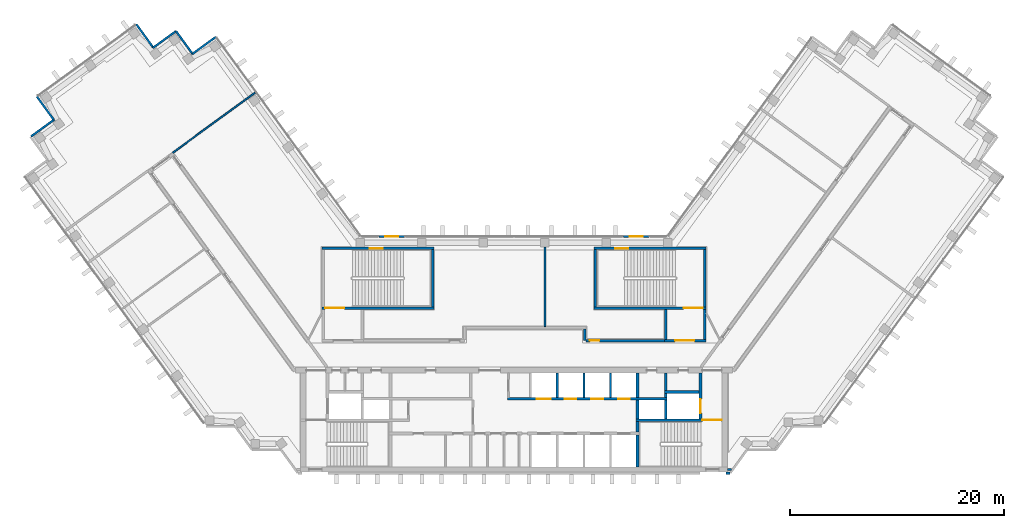
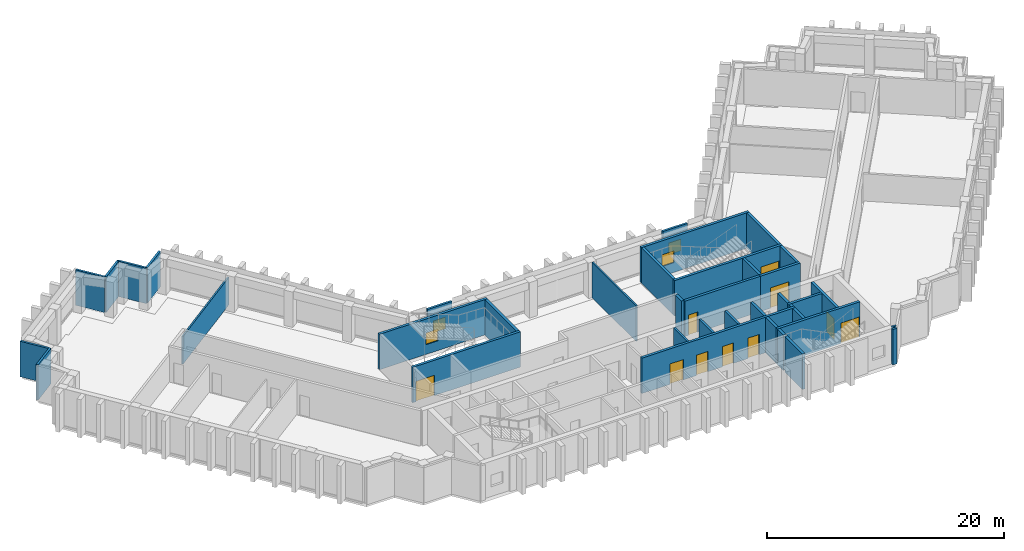
# One storey, part 6 of 10: 38 walls, 10 doors, 4 windows, 14 openings.
"""IFC4 building model written with IfcOpenShell, lengths in metres."""

from ifc_helpers import new_model, si_unit, direction, frame, frame_2d, origin, place, context, subcontext, project, spatial, rectangle, extrude, material, layer, layer_set, type_object, element, fill, save


model = new_model("IFC4")

# Units and contexts
model_context = context("Model", 3, precision=1e-05, world=origin(), true_north=direction((0.0, 1.0)))
body_context = subcontext(model_context, "Body", "Model", "MODEL_VIEW")
ifc_project = project(units=[si_unit("LENGTHUNIT", "METRE"), si_unit("AREAUNIT", "SQUARE_METRE"), si_unit("VOLUMEUNIT", "CUBIC_METRE"), si_unit("PLANEANGLEUNIT", "RADIAN"), si_unit("MASSUNIT", "GRAM", prefix="KILO")], contexts=[model_context])

# Site, building, storey
site_placement = place(None, origin())
site = spatial("IfcSite", under=ifc_project, at=site_placement, CompositionType="ELEMENT")
building_placement = place(site_placement, origin())
building = spatial("IfcBuilding", under=site, at=building_placement, Name="Quipu Civic Tower", CompositionType="ELEMENT")
storey_placement = place(building_placement, frame((0.0, 0.0, 176.0)))
storey = spatial("IfcBuildingStorey", under=building, at=storey_placement, Name="L41", CompositionType="ELEMENT", Elevation=176.0)

# Walls
ifc_material_1 = material(Name="Double gypsum plasterboard with mineral wool")
ifc_layer_1 = layer(ifc_material_1, 0.14990234375)
ifc_layer_set_1 = layer_set([ifc_layer_1], Name="Double gypsum plasterboard with mineral wool")
wall_type_1 = type_object("IfcWallType", Name="Acoustic partition 150 plasterboard", PredefinedType="PARTITIONING", material=ifc_layer_set_1)
wall_1_placement = place(storey_placement, frame((-31.97998046875, 18.922119140625, 0.0), z_axis=(0.0, 0.0, 1.0), x_axis=(0.807588329082, 0.589746632657, 0.0)))
element("IfcWall", 1, at=wall_1_placement, inside=storey, type_object=wall_type_1, Name="Partition P01", PredefinedType="PARTITIONING", context=body_context, shape_type="SweptSolid", body=[
    extrude(rectangle(XDim=9.56982421875, YDim=0.14990234375, at=frame_2d((4.784912109375, 0.0))), origin(), (0.0, 0.0, 1.0), 2.85009765625),
])
wall_2_placement = place(storey_placement, frame((2.89892578125, 10.094970703125, 0.0), z_axis=(0.0, 0.0, 1.0), x_axis=(0.0, -1.0, 0.0)))
element("IfcWall", 2, at=wall_2_placement, inside=storey, type_object=wall_type_1, Name="Partition P03", PredefinedType="PARTITIONING", context=body_context, shape_type="SweptSolid", body=[
    extrude(rectangle(XDim=7.445068359375, YDim=0.14990234375, at=frame_2d((3.72265625, 0.0))), origin(), (0.0, 0.0, 1.0), 3.64990234375),
])
ifc_material_2 = material(Name="Concrete C70/85", Category="concrete")
ifc_layer_2 = layer(ifc_material_2, 0.25)
ifc_layer_set_2 = layer_set([ifc_layer_2], Name="Concrete C70/85")
wall_type_2 = type_object("IfcWallType", Name="Core wall 250", PredefinedType="SHEAR", material=ifc_layer_set_2)
wall_3_placement = place(storey_placement, frame((11.574951171875, -10.5, 0.0), z_axis=(0.0, 0.0, 1.0), x_axis=(0.0, 1.0, 0.0)))
element("IfcWall", 3, at=wall_3_placement, inside=storey, type_object=wall_type_2, Name="Core wall", PredefinedType="SHEAR", context=body_context, shape_type="SweptSolid", body=[
    extrude(rectangle(XDim=3.0, YDim=0.25, at=frame_2d((1.5, 0.0))), origin(), (0.0, 0.0, 1.0), 3.64990234375),
])
wall_4_placement = place(storey_placement, frame((11.574951171875, -7.25, 0.0), z_axis=(0.0, 0.0, 1.0), x_axis=(0.0, 1.0, 0.0)))
element("IfcWall", 4, at=wall_4_placement, inside=storey, type_object=wall_type_2, Name="Core wall", PredefinedType="SHEAR", context=body_context, shape_type="SweptSolid", body=[
    extrude(rectangle(XDim=1.0, YDim=0.25, at=frame_2d((0.5, 0.0))), origin(), (0.0, 0.0, 1.0), 3.64990234375),
])

# Wall, opening, door
wall_5_placement = place(storey_placement, frame((19.5, -6.125, 0.0), z_axis=(0.0, 0.0, 1.0), x_axis=(-1.0, 0.0, 0.0)))
wall_5 = element("IfcWall", 5, at=wall_5_placement, inside=storey, type_object=wall_type_2, Name="Core wall", PredefinedType="SHEAR", context=body_context, shape_type="SweptSolid", body=[
    extrude(rectangle(XDim=8.050048828125, YDim=0.25, at=frame_2d((4.02490234375, 0.0))), origin(), (0.0, 0.0, 1.0), 3.64990234375),
])
opening_1_placement = place(wall_5_placement, frame((0.050048828125, 0.0, 0.0)))
opening_1 = element("IfcOpeningElement", 6, at=opening_1_placement, cuts=wall_5, Name="Opening CD-08", PredefinedType="OPENING", context=body_context, shape_type="SweptSolid", body=[
    extrude(rectangle(XDim=1.800048828125, YDim=2.10009765625, at=frame_2d((0.89990234375, 1.050048828125))), frame((0.0, 0.135009765625, 0.0), z_axis=(0.0, -1.0, 0.0), x_axis=(1.0, 0.0, 0.0)), (0.0, 0.0, 1.0), 0.27001953125),
])
ifc_material_3 = material(Name="Fire rated steel door", Category="steel")
door_type_1 = type_object("IfcDoorType", Name="Fire door FD90 double 1800 x 2100", OperationType="NOTDEFINED", PredefinedType="DOOR", material=ifc_material_3)
door_1_placement = place(opening_1_placement, origin())
door_1 = element("IfcDoor", 7, at=door_1_placement, inside=storey, type_object=door_type_1, Name="Door", OperationType="DOUBLE_DOOR_SINGLE_SWING", OverallHeight=2.10009765625, OverallWidth=1.800048828125, PredefinedType="DOOR", context=body_context, shape_type="SweptSolid", body=[
    extrude(rectangle(XDim=1.800048828125, YDim=2.10009765625, at=frame_2d((0.89990234375, 1.050048828125))), frame((0.0, 0.02490234375, 0.0), z_axis=(0.0, -1.0, 0.0), x_axis=(1.0, 0.0, 0.0)), (0.0, 0.0, 1.0), 0.050048828125),
])
fill(opening_1, door_1)

# Walls
for number, where, z_axis, x_axis, name in (
    (8, (11.574951171875, -6.0, 0.0), (0.0, 0.0, 1.0), (0.0, 1.0, 0.0), "Core wall"),
    (9, (14.22509765625, -6.0, 0.0), (0.0, 0.0, 1.0), (0.0, 1.0, 0.0), "Core wall"),
):
    element("IfcWall", number, at=place(storey_placement, frame(where, z_axis=z_axis, x_axis=x_axis)), inside=storey, type_object=wall_type_2, Name=name, PredefinedType="SHEAR", context=body_context, shape_type="SweptSolid", body=[
        extrude(rectangle(XDim=1.75, YDim=0.25, at=frame_2d((0.875, 0.0))), origin(), (0.0, 0.0, 1.0), 3.64990234375),
    ])

# Wall, opening, door
wall_6_placement = place(storey_placement, frame((17.47509765625, -6.0, 0.0), z_axis=(0.0, 0.0, 1.0), x_axis=(0.0, 1.0, 0.0)))
wall_6 = element("IfcWall", 10, at=wall_6_placement, inside=storey, type_object=wall_type_2, Name="Core wall", PredefinedType="SHEAR", context=body_context, shape_type="SweptSolid", body=[
    extrude(rectangle(XDim=4.300048828125, YDim=0.25, at=frame_2d((2.14990234375, 0.0))), origin(), (0.0, 0.0, 1.0), 3.64990234375),
])
opening_2_placement = place(wall_6_placement, frame((0.550048828125, 0.0, 0.0)))
opening_2 = element("IfcOpeningElement", 11, at=opening_2_placement, cuts=wall_6, Name="Opening LD-FF2", PredefinedType="OPENING", context=body_context, shape_type="SweptSolid", body=[
    extrude(rectangle(XDim=1.300048828125, YDim=2.10009765625, at=frame_2d((0.64990234375, 1.050048828125))), frame((0.0, 0.135009765625, 0.0), z_axis=(0.0, -1.0, 0.0), x_axis=(1.0, 0.0, 0.0)), (0.0, 0.0, 1.0), 0.27001953125),
])
ifc_material_4 = material(Name="Stainless steel", Category="steel")
door_type_2 = type_object("IfcDoorType", Name="Lift landing door 1300 x 2100", OperationType="DOUBLE_DOOR_SLIDING", PredefinedType="DOOR", material=ifc_material_4)
door_2_placement = place(opening_2_placement, origin())
door_2 = element("IfcDoor", 12, at=door_2_placement, inside=storey, type_object=door_type_2, Name="Landing door FF2", OperationType="DOUBLE_DOOR_SLIDING", OverallHeight=2.10009765625, OverallWidth=1.300048828125, PredefinedType="DOOR", context=body_context, shape_type="SweptSolid", body=[
    extrude(rectangle(XDim=1.300048828125, YDim=2.10009765625, at=frame_2d((0.64990234375, 1.050048828125))), frame((0.0, 0.02490234375, 0.0), z_axis=(0.0, -1.0, 0.0), x_axis=(1.0, 0.0, 0.0)), (0.0, 0.0, 1.0), 0.050048828125),
])
fill(opening_2, door_2)

# Wall, openings, doors
wall_7_placement = place(storey_placement, frame((-0.60009765625, -4.125, 0.0), z_axis=(0.0, 0.0, 1.0), x_axis=(1.0, 0.0, 0.0)))
wall_7 = element("IfcWall", 13, at=wall_7_placement, inside=storey, type_object=wall_type_2, Name="Core wall", PredefinedType="SHEAR", context=body_context, shape_type="SweptSolid", body=[
    extrude(rectangle(XDim=14.9501953125, YDim=0.25, at=frame_2d((7.47509765625, 0.0))), origin(), (0.0, 0.0, 1.0), 3.64990234375),
])
opening_3_placement = place(wall_7_placement, frame((2.75, 0.0, 0.0)))
opening_3 = element("IfcOpeningElement", 14, at=opening_3_placement, cuts=wall_7, Name="Opening LD-FF3", PredefinedType="OPENING", context=body_context, shape_type="SweptSolid", body=[
    extrude(rectangle(XDim=1.300048828125, YDim=2.10009765625, at=frame_2d((0.64990234375, 1.050048828125))), frame((0.0, 0.135009765625, 0.0), z_axis=(0.0, -1.0, 0.0), x_axis=(1.0, 0.0, 0.0)), (0.0, 0.0, 1.0), 0.27001953125),
])
opening_4_placement = place(wall_7_placement, frame((5.35009765625, 0.0, 0.0)))
opening_4 = element("IfcOpeningElement", 15, at=opening_4_placement, cuts=wall_7, Name="Opening LD-ML5", PredefinedType="OPENING", context=body_context, shape_type="SweptSolid", body=[
    extrude(rectangle(XDim=1.10009765625, YDim=2.10009765625, at=frame_2d((0.550048828125, 1.050048828125))), frame((0.0, 0.135009765625, 0.0), z_axis=(0.0, -1.0, 0.0), x_axis=(1.0, 0.0, 0.0)), (0.0, 0.0, 1.0), 0.27001953125),
])
opening_5_placement = place(wall_7_placement, frame((7.85009765625, 0.0, 0.0)))
opening_5 = element("IfcOpeningElement", 16, at=opening_5_placement, cuts=wall_7, Name="Opening LD-ML6", PredefinedType="OPENING", context=body_context, shape_type="SweptSolid", body=[
    extrude(rectangle(XDim=1.10009765625, YDim=2.10009765625, at=frame_2d((0.550048828125, 1.050048828125))), frame((0.0, 0.135009765625, 0.0), z_axis=(0.0, -1.0, 0.0), x_axis=(1.0, 0.0, 0.0)), (0.0, 0.0, 1.0), 0.27001953125),
])
opening_6_placement = place(wall_7_placement, frame((10.35009765625, 0.0, 0.0)))
opening_6 = element("IfcOpeningElement", 17, at=opening_6_placement, cuts=wall_7, Name="Opening LD-ML7", PredefinedType="OPENING", context=body_context, shape_type="SweptSolid", body=[
    extrude(rectangle(XDim=1.10009765625, YDim=2.10009765625, at=frame_2d((0.550048828125, 1.050048828125))), frame((0.0, 0.135009765625, 0.0), z_axis=(0.0, -1.0, 0.0), x_axis=(1.0, 0.0, 0.0)), (0.0, 0.0, 1.0), 0.27001953125),
])
ifc_material_5 = material(Name="Stainless steel", Category="steel")
door_type_3 = type_object("IfcDoorType", Name="Lift landing door 1100 x 2100", OperationType="DOUBLE_DOOR_SLIDING", PredefinedType="DOOR", material=ifc_material_5)
door_3_placement = place(opening_4_placement, origin())
door_3 = element("IfcDoor", 18, at=door_3_placement, inside=storey, type_object=door_type_3, Name="Landing door ML5", OperationType="DOUBLE_DOOR_SLIDING", OverallHeight=2.10009765625, OverallWidth=1.10009765625, PredefinedType="DOOR", context=body_context, shape_type="SweptSolid", body=[
    extrude(rectangle(XDim=1.10009765625, YDim=2.10009765625, at=frame_2d((0.550048828125, 1.050048828125))), frame((0.0, 0.02490234375, 0.0), z_axis=(0.0, -1.0, 0.0), x_axis=(1.0, 0.0, 0.0)), (0.0, 0.0, 1.0), 0.050048828125),
])
fill(opening_4, door_3)
door_4_placement = place(opening_5_placement, origin())
door_4 = element("IfcDoor", 19, at=door_4_placement, inside=storey, type_object=door_type_3, Name="Landing door ML6", OperationType="DOUBLE_DOOR_SLIDING", OverallHeight=2.10009765625, OverallWidth=1.10009765625, PredefinedType="DOOR", context=body_context, shape_type="SweptSolid", body=[
    extrude(rectangle(XDim=1.10009765625, YDim=2.10009765625, at=frame_2d((0.550048828125, 1.050048828125))), frame((0.0, 0.02490234375, 0.0), z_axis=(0.0, -1.0, 0.0), x_axis=(1.0, 0.0, 0.0)), (0.0, 0.0, 1.0), 0.050048828125),
])
fill(opening_5, door_4)
door_5_placement = place(opening_6_placement, origin())
door_5 = element("IfcDoor", 20, at=door_5_placement, inside=storey, type_object=door_type_3, Name="Landing door ML7", OperationType="DOUBLE_DOOR_SLIDING", OverallHeight=2.10009765625, OverallWidth=1.10009765625, PredefinedType="DOOR", context=body_context, shape_type="SweptSolid", body=[
    extrude(rectangle(XDim=1.10009765625, YDim=2.10009765625, at=frame_2d((0.550048828125, 1.050048828125))), frame((0.0, 0.02490234375, 0.0), z_axis=(0.0, -1.0, 0.0), x_axis=(1.0, 0.0, 0.0)), (0.0, 0.0, 1.0), 0.050048828125),
])
fill(opening_6, door_5)
door_6_placement = place(opening_3_placement, origin())
door_6 = element("IfcDoor", 21, at=door_6_placement, inside=storey, type_object=door_type_2, Name="Landing door FF3", OperationType="DOUBLE_DOOR_SLIDING", OverallHeight=2.10009765625, OverallWidth=1.300048828125, PredefinedType="DOOR", context=body_context, shape_type="SweptSolid", body=[
    extrude(rectangle(XDim=1.300048828125, YDim=2.10009765625, at=frame_2d((0.64990234375, 1.050048828125))), frame((0.0, 0.02490234375, 0.0), z_axis=(0.0, -1.0, 0.0), x_axis=(1.0, 0.0, 0.0)), (0.0, 0.0, 1.0), 0.050048828125),
])
fill(opening_3, door_6)

# Walls
wall_8_placement = place(storey_placement, frame((11.574951171875, -4.0, 0.0), z_axis=(0.0, 0.0, 1.0), x_axis=(0.0, 1.0, 0.0)))
element("IfcWall", 22, at=wall_8_placement, inside=storey, type_object=wall_type_2, Name="Core wall", PredefinedType="SHEAR", context=body_context, shape_type="SweptSolid", body=[
    extrude(rectangle(XDim=2.300048828125, YDim=0.25, at=frame_2d((1.14990234375, 0.0))), origin(), (0.0, 0.0, 1.0), 3.64990234375),
])
wall_9_placement = place(storey_placement, frame((14.22509765625, -4.0, 0.0), z_axis=(0.0, 0.0, 1.0), x_axis=(0.0, 1.0, 0.0)))
element("IfcWall", 23, at=wall_9_placement, inside=storey, type_object=wall_type_2, Name="Core wall", PredefinedType="SHEAR", context=body_context, shape_type="SweptSolid", body=[
    extrude(rectangle(XDim=0.39990234375, YDim=0.25, at=frame_2d((0.199951171875, 0.0))), origin(), (0.0, 0.0, 1.0), 3.64990234375),
])
wall_10_placement = place(storey_placement, frame((14.10009765625, -3.47509765625, 0.0), z_axis=(0.0, 0.0, 1.0), x_axis=(1.0, 0.0, 0.0)))
element("IfcWall", 24, at=wall_10_placement, inside=storey, type_object=wall_type_2, Name="Core wall", PredefinedType="SHEAR", context=body_context, shape_type="SweptSolid", body=[
    extrude(rectangle(XDim=3.25, YDim=0.25, at=frame_2d((1.625, 0.0))), origin(), (0.0, 0.0, 1.0), 3.64990234375),
])
wall_11_placement = place(storey_placement, frame((14.22509765625, -3.35009765625, 0.0), z_axis=(0.0, 0.0, 1.0), x_axis=(0.0, 1.0, 0.0)))
element("IfcWall", 25, at=wall_11_placement, inside=storey, type_object=wall_type_2, Name="Core wall", PredefinedType="SHEAR", context=body_context, shape_type="SweptSolid", body=[
    extrude(rectangle(XDim=1.650146484375, YDim=0.25, at=frame_2d((0.8251953125, 0.0))), origin(), (0.0, 0.0, 1.0), 3.64990234375),
])

# Wall, opening, door
wall_12_placement = place(storey_placement, frame((-18.0, 4.375, 0.0), z_axis=(0.0, 0.0, 1.0), x_axis=(1.0, 0.0, 0.0)))
wall_12 = element("IfcWall", 26, at=wall_12_placement, inside=storey, type_object=wall_type_2, Name="Core wall", PredefinedType="SHEAR", context=body_context, shape_type="SweptSolid", body=[
    extrude(rectangle(XDim=10.5, YDim=0.25, at=frame_2d((5.25, 0.0))), origin(), (0.0, 0.0, 1.0), 3.64990234375),
])
opening_7_placement = place(wall_12_placement, frame((0.300048828125, 0.0, 0.0)))
opening_7 = element("IfcOpeningElement", 27, at=opening_7_placement, cuts=wall_12, Name="Opening CD-22", PredefinedType="OPENING", context=body_context, shape_type="SweptSolid", body=[
    extrude(rectangle(XDim=1.800048828125, YDim=2.10009765625, at=frame_2d((0.89990234375, 1.050048828125))), frame((0.0, 0.135009765625, 0.0), z_axis=(0.0, -1.0, 0.0), x_axis=(1.0, 0.0, 0.0)), (0.0, 0.0, 1.0), 0.27001953125),
])
door_7_placement = place(opening_7_placement, origin())
door_7 = element("IfcDoor", 28, at=door_7_placement, inside=storey, type_object=door_type_1, Name="Door", OperationType="DOUBLE_DOOR_SINGLE_SWING", OverallHeight=2.10009765625, OverallWidth=1.800048828125, PredefinedType="DOOR", context=body_context, shape_type="SweptSolid", body=[
    extrude(rectangle(XDim=1.800048828125, YDim=2.10009765625, at=frame_2d((0.89990234375, 1.050048828125))), frame((0.0, 0.02490234375, 0.0), z_axis=(0.0, -1.0, 0.0), x_axis=(1.0, 0.0, 0.0)), (0.0, 0.0, 1.0), 0.050048828125),
])
fill(opening_7, door_7)

# Wall
wall_13_placement = place(storey_placement, frame((-7.625, 4.5, 0.0), z_axis=(0.0, 0.0, 1.0), x_axis=(0.0, 1.0, 0.0)))
element("IfcWall", 29, at=wall_13_placement, inside=storey, type_object=wall_type_2, Name="Core wall", PredefinedType="SHEAR", context=body_context, shape_type="SweptSolid", body=[
    extrude(rectangle(XDim=5.35009765625, YDim=0.25, at=frame_2d((2.675048828125, 0.0))), origin(), (0.0, 0.0, 1.0), 3.64990234375),
])

# Wall, opening, window
wall_14_placement = place(storey_placement, frame((-18.0, 9.97509765625, 0.0), z_axis=(0.0, 0.0, 1.0), x_axis=(1.0, 0.0, 0.0)))
wall_14 = element("IfcWall", 30, at=wall_14_placement, inside=storey, type_object=wall_type_2, Name="Core wall", PredefinedType="SHEAR", context=body_context, shape_type="SweptSolid", body=[
    extrude(rectangle(XDim=10.5, YDim=0.25, at=frame_2d((5.25, 0.0))), origin(), (0.0, 0.0, 1.0), 3.64990234375),
])
opening_8_placement = place(wall_14_placement, frame((4.5, 0.0, 1.0)))
opening_8 = element("IfcOpeningElement", 31, at=opening_8_placement, cuts=wall_14, Name="Opening SV-3", PredefinedType="OPENING", context=body_context, shape_type="SweptSolid", body=[
    extrude(rectangle(XDim=1.199951171875, YDim=1.199951171875, at=frame_2d((0.60009765625, 0.60009765625))), frame((0.0, 0.135009765625, 0.0), z_axis=(0.0, -1.0, 0.0), x_axis=(1.0, 0.0, 0.0)), (0.0, 0.0, 1.0), 0.27001953125),
])
ifc_material_6 = material(Name="Aluminium louvre", Category="aluminium")
window_type_1 = type_object("IfcWindowType", Name="Stair ventilation louvre 1200 x 1200", PartitioningType="SINGLE_PANEL", PredefinedType="WINDOW", material=ifc_material_6)
window_1_placement = place(opening_8_placement, origin())
window_1 = element("IfcWindow", 32, at=window_1_placement, inside=storey, type_object=window_type_1, Name="Stair ventilation opening", OverallHeight=1.199951171875, OverallWidth=1.199951171875, PartitioningType="SINGLE_PANEL", PredefinedType="WINDOW", context=body_context, shape_type="SweptSolid", body=[
    extrude(rectangle(XDim=1.199951171875, YDim=1.199951171875, at=frame_2d((0.60009765625, 0.60009765625))), frame((0.0, 0.030029296875, 0.0), z_axis=(0.0, -1.0, 0.0), x_axis=(1.0, 0.0, 0.0)), (0.0, 0.0, 1.0), 0.06005859375),
])
fill(opening_8, window_1)

# Wall, opening, door
wall_15_placement = place(storey_placement, frame((14.10009765625, 1.324951171875, 0.0), z_axis=(0.0, 0.0, 1.0), x_axis=(1.0, 0.0, 0.0)))
wall_15 = element("IfcWall", 33, at=wall_15_placement, inside=storey, type_object=wall_type_2, Name="Core wall", PredefinedType="SHEAR", context=body_context, shape_type="SweptSolid", body=[
    extrude(rectangle(XDim=3.89990234375, YDim=0.25, at=frame_2d((1.949951171875, 0.0))), origin(), (0.0, 0.0, 1.0), 3.64990234375),
])
opening_9_placement = place(wall_15_placement, frame((1.0, 0.0, 0.0)))
opening_9 = element("IfcOpeningElement", 34, at=opening_9_placement, cuts=wall_15, Name="Opening CD-23", PredefinedType="OPENING", context=body_context, shape_type="SweptSolid", body=[
    extrude(rectangle(XDim=1.800048828125, YDim=2.10009765625, at=frame_2d((0.89990234375, 1.050048828125))), frame((0.0, 0.135009765625, 0.0), z_axis=(0.0, -1.0, 0.0), x_axis=(1.0, 0.0, 0.0)), (0.0, 0.0, 1.0), 0.27001953125),
])
door_8_placement = place(opening_9_placement, origin())
door_8 = element("IfcDoor", 35, at=door_8_placement, inside=storey, type_object=door_type_1, Name="Lobby door", OperationType="DOUBLE_DOOR_SINGLE_SWING", OverallHeight=2.10009765625, OverallWidth=1.800048828125, PredefinedType="DOOR", context=body_context, shape_type="SweptSolid", body=[
    extrude(rectangle(XDim=1.800048828125, YDim=2.10009765625, at=frame_2d((0.89990234375, 1.050048828125))), frame((0.0, 0.02490234375, 0.0), z_axis=(0.0, -1.0, 0.0), x_axis=(1.0, 0.0, 0.0)), (0.0, 0.0, 1.0), 0.050048828125),
])
fill(opening_9, door_8)

# Walls
for number, where, z_axis, x_axis, name in (
    (36, (14.22509765625, 1.449951171875, 0.0), (0.0, 0.0, 1.0), (0.0, 1.0, 0.0), "Core wall"),
    (37, (17.875, 1.449951171875, 0.0), (0.0, 0.0, 1.0), (0.0, 1.0, 0.0), "Core wall"),
):
    element("IfcWall", number, at=place(storey_placement, frame(where, z_axis=z_axis, x_axis=x_axis)), inside=storey, type_object=wall_type_2, Name=name, PredefinedType="SHEAR", context=body_context, shape_type="SweptSolid", body=[
        extrude(rectangle(XDim=2.800048828125, YDim=0.25, at=frame_2d((1.39990234375, 0.0))), origin(), (0.0, 0.0, 1.0), 3.64990234375),
    ])

# Wall, opening, door
wall_16_placement = place(storey_placement, frame((7.5, 4.375, 0.0), z_axis=(0.0, 0.0, 1.0), x_axis=(1.0, 0.0, 0.0)))
wall_16 = element("IfcWall", 38, at=wall_16_placement, inside=storey, type_object=wall_type_2, Name="Core wall", PredefinedType="SHEAR", context=body_context, shape_type="SweptSolid", body=[
    extrude(rectangle(XDim=10.5, YDim=0.25, at=frame_2d((5.25, 0.0))), origin(), (0.0, 0.0, 1.0), 3.64990234375),
])
opening_10_placement = place(wall_16_placement, frame((8.39990234375, 0.0, 0.0)))
opening_10 = element("IfcOpeningElement", 39, at=opening_10_placement, cuts=wall_16, Name="Opening CD-24", PredefinedType="OPENING", context=body_context, shape_type="SweptSolid", body=[
    extrude(rectangle(XDim=1.800048828125, YDim=2.10009765625, at=frame_2d((0.89990234375, 1.050048828125))), frame((0.0, 0.135009765625, 0.0), z_axis=(0.0, -1.0, 0.0), x_axis=(1.0, 0.0, 0.0)), (0.0, 0.0, 1.0), 0.27001953125),
])
door_9_placement = place(opening_10_placement, origin())
door_9 = element("IfcDoor", 40, at=door_9_placement, inside=storey, type_object=door_type_1, Name="Door", OperationType="DOUBLE_DOOR_SINGLE_SWING", OverallHeight=2.10009765625, OverallWidth=1.800048828125, PredefinedType="DOOR", context=body_context, shape_type="SweptSolid", body=[
    extrude(rectangle(XDim=1.800048828125, YDim=2.10009765625, at=frame_2d((0.89990234375, 1.050048828125))), frame((0.0, 0.02490234375, 0.0), z_axis=(0.0, -1.0, 0.0), x_axis=(1.0, 0.0, 0.0)), (0.0, 0.0, 1.0), 0.050048828125),
])
fill(opening_10, door_9)

# Walls
for number, where, z_axis, x_axis, name in (
    (41, (7.625, 4.5, 0.0), (0.0, 0.0, 1.0), (0.0, 1.0, 0.0), "Core wall"),
    (42, (17.875, 4.5, 0.0), (0.0, 0.0, 1.0), (0.0, 1.0, 0.0), "Core wall"),
):
    element("IfcWall", number, at=place(storey_placement, frame(where, z_axis=z_axis, x_axis=x_axis)), inside=storey, type_object=wall_type_2, Name=name, PredefinedType="SHEAR", context=body_context, shape_type="SweptSolid", body=[
        extrude(rectangle(XDim=5.35009765625, YDim=0.25, at=frame_2d((2.675048828125, 0.0))), origin(), (0.0, 0.0, 1.0), 3.64990234375),
    ])

# Wall, opening, window
wall_17_placement = place(storey_placement, frame((7.5, 9.97509765625, 0.0), z_axis=(0.0, 0.0, 1.0), x_axis=(1.0, 0.0, 0.0)))
wall_17 = element("IfcWall", 43, at=wall_17_placement, inside=storey, type_object=wall_type_2, Name="Core wall", PredefinedType="SHEAR", context=body_context, shape_type="SweptSolid", body=[
    extrude(rectangle(XDim=10.5, YDim=0.25, at=frame_2d((5.25, 0.0))), origin(), (0.0, 0.0, 1.0), 3.64990234375),
])
opening_11_placement = place(wall_17_placement, frame((2.0, 0.0, 1.0)))
opening_11 = element("IfcOpeningElement", 44, at=opening_11_placement, cuts=wall_17, Name="Opening SV-4", PredefinedType="OPENING", context=body_context, shape_type="SweptSolid", body=[
    extrude(rectangle(XDim=1.199951171875, YDim=1.199951171875, at=frame_2d((0.60009765625, 0.60009765625))), frame((0.0, 0.135009765625, 0.0), z_axis=(0.0, -1.0, 0.0), x_axis=(1.0, 0.0, 0.0)), (0.0, 0.0, 1.0), 0.27001953125),
])
window_2_placement = place(opening_11_placement, origin())
window_2 = element("IfcWindow", 45, at=window_2_placement, inside=storey, type_object=window_type_1, Name="Stair ventilation opening", OverallHeight=1.199951171875, OverallWidth=1.199951171875, PartitioningType="SINGLE_PANEL", PredefinedType="WINDOW", context=body_context, shape_type="SweptSolid", body=[
    extrude(rectangle(XDim=1.199951171875, YDim=1.199951171875, at=frame_2d((0.60009765625, 0.60009765625))), frame((0.0, 0.030029296875, 0.0), z_axis=(0.0, -1.0, 0.0), x_axis=(1.0, 0.0, 0.0)), (0.0, 0.0, 1.0), 0.06005859375),
])
fill(opening_11, window_2)

# Wall
ifc_material_7 = material(Name="Concrete C50/60", Category="concrete")
ifc_layer_3 = layer(ifc_material_7, 0.25)
ifc_layer_set_3 = layer_set([ifc_layer_3], Name="Concrete C50/60")
wall_type_3 = type_object("IfcWallType", Name="Corridor wall 250 concrete", PredefinedType="SOLIDWALL", material=ifc_layer_set_3)
wall_18_placement = place(storey_placement, frame((6.625, 2.39990234375, 0.0), z_axis=(0.0, 0.0, 1.0), x_axis=(0.0, -1.0, 0.0)))
element("IfcWall", 46, at=wall_18_placement, inside=storey, type_object=wall_type_3, Name="Corridor wall C10", PredefinedType="SOLIDWALL", context=body_context, shape_type="SweptSolid", body=[
    extrude(rectangle(XDim=1.041259765625, YDim=0.25, at=frame_2d((0.5205078125, 0.0))), origin(), (0.0, 0.0, 1.0), 3.64990234375),
])

# Wall, opening, door
wall_19_placement = place(storey_placement, frame((6.753662109375, 1.324951171875, 0.0), z_axis=(0.0, 0.0, 1.0), x_axis=(1.0, 0.0, 0.0)))
wall_19 = element("IfcWall", 47, at=wall_19_placement, inside=storey, type_object=wall_type_3, Name="Corridor wall C11", PredefinedType="SOLIDWALL", context=body_context, shape_type="SweptSolid", body=[
    extrude(rectangle(XDim=7.33642578125, YDim=0.25, at=frame_2d((3.668212890625, 0.0))), origin(), (0.0, 0.0, 1.0), 3.64990234375),
])
opening_12_placement = place(wall_19_placement, frame((0.34619140625, 0.0, 0.0)))
opening_12 = element("IfcOpeningElement", 48, at=opening_12_placement, cuts=wall_19, Name="Opening D008", PredefinedType="OPENING", context=body_context, shape_type="SweptSolid", body=[
    extrude(rectangle(XDim=0.89990234375, YDim=2.10009765625, at=frame_2d((0.449951171875, 1.050048828125))), frame((0.0, 0.135009765625, 0.0), z_axis=(0.0, -1.0, 0.0), x_axis=(1.0, 0.0, 0.0)), (0.0, 0.0, 1.0), 0.27001953125),
])
ifc_material_8 = material(Name="Fire rated timber door set with metal frame", Category="wood")
door_type_4 = type_object("IfcDoorType", Name="Single door 900 x 2100 FD60", OperationType="NOTDEFINED", PredefinedType="DOOR", material=ifc_material_8)
door_10_placement = place(opening_12_placement, origin())
door_10 = element("IfcDoor", 49, at=door_10_placement, inside=storey, type_object=door_type_4, Name="Door D008", OperationType="SINGLE_SWING_LEFT", OverallHeight=2.10009765625, OverallWidth=0.89990234375, PredefinedType="DOOR", context=body_context, shape_type="SweptSolid", body=[
    extrude(rectangle(XDim=0.89990234375, YDim=2.10009765625, at=frame_2d((0.449951171875, 1.050048828125))), frame((0.0, 0.02490234375, 0.0), z_axis=(0.0, -1.0, 0.0), x_axis=(1.0, 0.0, 0.0)), (0.0, 0.0, 1.0), 0.050048828125),
])
fill(opening_12, door_10)

# Walls
ifc_material_9 = material(Name="Precast concrete C40/50", Category="concrete")
wall_type_4 = type_object("IfcWallType", Name="Precast cladding wall", PredefinedType="SOLIDWALL", material=ifc_material_9)
for number, where, z_axis, x_axis, name in (
    (50, (-27.92138671875, 29.787109375, 0.0), (0.0, 0.0, 1.0), (-0.809033161865, -0.587762999008, 0.0), "Precast cladding wall L41 P02"),
    (51, (-30.08349609375, 28.149169921875, 0.0), (0.0, 0.0, 1.0), (-0.587762999008, 0.809033161865, 0.0), "Precast cladding wall L41 P03"),
    (52, (-31.653564453125, 30.330810546875, 0.0), (0.0, 0.0, 1.0), (-0.809033161865, -0.587762999008, 0.0), "Precast cladding wall L41 P04"),
    (53, (-33.80078125, 28.785888671875, 0.0), (0.0, 0.0, 1.0), (-0.587762999008, 0.809033161865, 0.0), "Precast cladding wall L41 P05"),
    (54, (-44.699462890625, 24.20458984375, 0.0), (0.0, 0.0, 1.0), (0.587762999008, -0.809033161865, 0.0), "Precast cladding wall L41 P07"),
):
    element("IfcWall", number, at=place(storey_placement, frame(where, z_axis=z_axis, x_axis=x_axis)), inside=storey, type_object=wall_type_4, Name=name, PredefinedType="SOLIDWALL", context=body_context, shape_type="SweptSolid", body=[
        extrude(rectangle(XDim=2.699951171875, YDim=0.199951171875, at=frame_2d((1.35009765625, 0.0))), origin(), (0.0, 0.0, 1.0), 3.64990234375),
    ])
wall_20_placement = place(storey_placement, frame((19.85009765625, -11.087890625, 0.0), z_axis=(0.0, 0.0, 1.0), x_axis=(1.0, 0.0, 0.0)))
element("IfcWall", 55, at=wall_20_placement, inside=storey, type_object=wall_type_4, Name="Precast cladding wall L41 P16", PredefinedType="SOLIDWALL", context=body_context, shape_type="SweptSolid", body=[
    extrude(rectangle(XDim=0.40576171875, YDim=0.199951171875, at=frame_2d((0.202880859375, 0.0))), origin(), (0.0, 0.0, 1.0), 3.64990234375),
])

# Wall, opening, window
wall_21_placement = place(storey_placement, frame((12.655029296875, 11.10009765625, 0.0), z_axis=(0.0, 0.0, 1.0), x_axis=(-1.0, 0.0, 0.0)))
wall_21 = element("IfcWall", 56, at=wall_21_placement, inside=storey, type_object=wall_type_4, Name="Vent surround SF-L39-2", PredefinedType="SOLIDWALL", context=body_context, shape_type="SweptSolid", body=[
    extrude(rectangle(XDim=2.3916015625, YDim=0.199951171875, at=frame_2d((1.19580078125, 0.0))), origin(), (0.0, 0.0, 1.0), 3.64990234375),
])
opening_13_placement = place(wall_21_placement, frame((0.595703125, 0.0, 1.0)))
opening_13 = element("IfcOpeningElement", 57, at=opening_13_placement, cuts=wall_21, Name="Opening SF-L39-2", PredefinedType="OPENING", context=body_context, shape_type="SweptSolid", body=[
    extrude(rectangle(XDim=1.199951171875, YDim=1.199951171875, at=frame_2d((0.60009765625, 0.60009765625))), frame((0.0, 0.10986328125, 0.0), z_axis=(0.0, -1.0, 0.0), x_axis=(1.0, 0.0, 0.0)), (0.0, 0.0, 1.0), 0.219970703125),
])
ifc_material_10 = material(Name="Anodised aluminium louvre", Category="aluminium")
window_type_2 = type_object("IfcWindowType", Name="Stair vent louvre window P3", PartitioningType="SINGLE_PANEL", PredefinedType="WINDOW", material=ifc_material_10)
window_3_placement = place(opening_13_placement, origin())
window_3 = element("IfcWindow", 58, at=window_3_placement, inside=storey, type_object=window_type_2, Name="Stair vent louvre SF-L39-2", OverallHeight=1.199951171875, OverallWidth=1.199951171875, PartitioningType="SINGLE_PANEL", PredefinedType="WINDOW", context=body_context, shape_type="SweptSolid", body=[
    extrude(rectangle(XDim=1.199951171875, YDim=1.199951171875, at=frame_2d((0.60009765625, 0.60009765625))), frame((0.0, 0.030029296875, 0.0), z_axis=(0.0, -1.0, 0.0), x_axis=(1.0, 0.0, 0.0)), (0.0, 0.0, 1.0), 0.06005859375),
])
fill(opening_13, window_3)

wall_22_placement = place(storey_placement, frame((-10.263427734375, 11.10009765625, 0.0), z_axis=(0.0, 0.0, 1.0), x_axis=(-1.0, 0.0, 0.0)))
wall_22 = element("IfcWall", 59, at=wall_22_placement, inside=storey, type_object=wall_type_4, Name="Vent surround SF-L39-1", PredefinedType="SOLIDWALL", context=body_context, shape_type="SweptSolid", body=[
    extrude(rectangle(XDim=2.3916015625, YDim=0.199951171875, at=frame_2d((1.19580078125, 0.0))), origin(), (0.0, 0.0, 1.0), 3.64990234375),
])
opening_14_placement = place(wall_22_placement, frame((0.595703125, 0.0, 1.0)))
opening_14 = element("IfcOpeningElement", 60, at=opening_14_placement, cuts=wall_22, Name="Opening SF-L39-1", PredefinedType="OPENING", context=body_context, shape_type="SweptSolid", body=[
    extrude(rectangle(XDim=1.199951171875, YDim=1.199951171875, at=frame_2d((0.60009765625, 0.60009765625))), frame((0.0, 0.10986328125, 0.0), z_axis=(0.0, -1.0, 0.0), x_axis=(1.0, 0.0, 0.0)), (0.0, 0.0, 1.0), 0.219970703125),
])
window_4_placement = place(opening_14_placement, origin())
window_4 = element("IfcWindow", 61, at=window_4_placement, inside=storey, type_object=window_type_2, Name="Stair vent louvre SF-L39-1", OverallHeight=1.199951171875, OverallWidth=1.199951171875, PartitioningType="SINGLE_PANEL", PredefinedType="WINDOW", context=body_context, shape_type="SweptSolid", body=[
    extrude(rectangle(XDim=1.199951171875, YDim=1.199951171875, at=frame_2d((0.60009765625, 0.60009765625))), frame((0.0, 0.030029296875, 0.0), z_axis=(0.0, -1.0, 0.0), x_axis=(1.0, 0.0, 0.0)), (0.0, 0.0, 1.0), 0.06005859375),
])
fill(opening_14, window_4)

# Walls
wall_23_placement = place(storey_placement, frame((-43.060791015625, 22.04296875, 0.0), z_axis=(0.0, 0.0, 1.0), x_axis=(-0.809033161865, -0.587762999008, 0.0)))
element("IfcWall", 62, at=wall_23_placement, inside=storey, type_object=wall_type_4, Name="Precast cladding wall L41 1", PredefinedType="SOLIDWALL", context=body_context, shape_type="SweptSolid", body=[
    extrude(rectangle(XDim=2.699951171875, YDim=0.199951171875, at=frame_2d((1.35009765625, 0.0))), origin(), (0.0, 0.0, 1.0), 3.64990234375),
])
wall_24_placement = place(storey_placement, frame((19.97998046875, -10.75, 0.0), z_axis=(0.0, 0.0, 1.0), x_axis=(1.0, 0.0, 0.0)))
element("IfcWall", 63, at=wall_24_placement, inside=storey, type_object=wall_type_4, Name="Precast cladding return L41 E", PredefinedType="SOLIDWALL", context=body_context, shape_type="SweptSolid", body=[
    extrude(rectangle(XDim=0.41650390625, YDim=0.199951171875, at=frame_2d((0.208251953125, 0.0))), origin(), (0.0, 0.0, 1.0), 3.64990234375),
])
ifc_material_11 = material(Name="Concrete C40/50", Category="concrete")
ifc_layer_4 = layer(ifc_material_11, 0.199951171875)
ifc_layer_set_4 = layer_set([ifc_layer_4], Name="Concrete C40/50")
wall_type_5 = type_object("IfcWallType", Name="Shaft wall 200", PredefinedType="SOLIDWALL", material=ifc_layer_set_4)
for number, where, z_axis, x_axis, name in (
    (64, (4.050048828125, -4.0, 0.0), (0.0, 0.0, 1.0), (0.0, 1.0, 0.0), "Shaft wall"),
    (65, (6.550048828125, -4.0, 0.0), (0.0, 0.0, 1.0), (0.0, 1.0, 0.0), "Shaft wall"),
    (66, (9.050048828125, -4.0, 0.0), (0.0, 0.0, 1.0), (0.0, 1.0, 0.0), "Shaft wall"),
):
    element("IfcWall", number, at=place(storey_placement, frame(where, z_axis=z_axis, x_axis=x_axis)), inside=storey, type_object=wall_type_5, Name=name, PredefinedType="SOLIDWALL", context=body_context, shape_type="SweptSolid", body=[
        extrude(rectangle(XDim=2.300048828125, YDim=0.199951171875, at=frame_2d((1.14990234375, 0.0))), origin(), (0.0, 0.0, 1.0), 3.64990234375),
    ])

save(model, "model.ifc")
